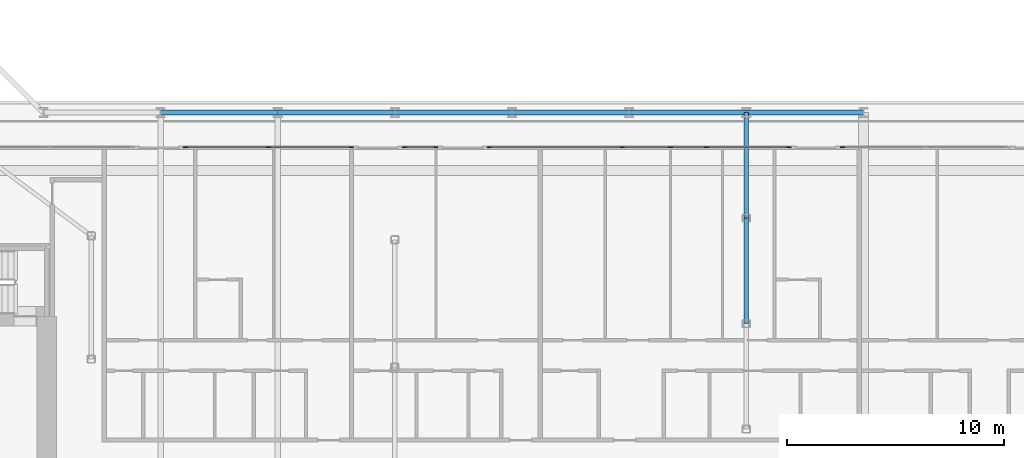
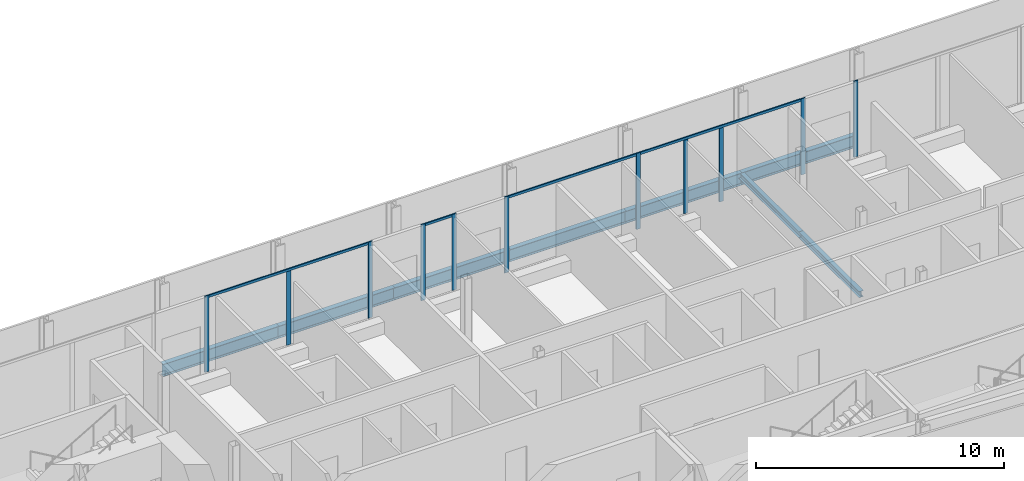
# One storey, part 6 of 25: 15 members, 8 beams, 5 elements without a shape of their own.
"""IFC4 building model written with IfcOpenShell, lengths in metres."""

from ifc_helpers import new_model, si_unit, direction, frame, origin, origin_2d, place, context, subcontext, project, spatial, rectangle, i_section, extrude, material, layer, layer_set, material_profile, profile_set, type_object, element, aggregate, save


model = new_model("IFC4")

# Units and contexts
model_context = context("Model", 3, precision=1e-05, world=origin(), true_north=direction((0.0, 1.0)))
body_context = subcontext(model_context, "Body", "Model", "MODEL_VIEW")
ifc_project = project(units=[si_unit("LENGTHUNIT", "METRE"), si_unit("AREAUNIT", "SQUARE_METRE"), si_unit("VOLUMEUNIT", "CUBIC_METRE"), si_unit("PLANEANGLEUNIT", "RADIAN"), si_unit("MASSUNIT", "GRAM", prefix="KILO")], contexts=[model_context])

# Site, building, storey
site_placement = place(None, origin())
site = spatial("IfcSite", under=ifc_project, at=site_placement, CompositionType="ELEMENT")
building_placement = place(site_placement, origin())
building = spatial("IfcBuilding", under=site, at=building_placement, Name="Kheshtan School and Residences Tower", CompositionType="ELEMENT")
storey_placement = place(building_placement, frame((0.0, 0.0, 109.699951171875)))
storey = spatial("IfcBuildingStorey", under=building, at=storey_placement, Name="L25", CompositionType="ELEMENT", Elevation=109.699951171875)

# Beams
ifc_material_1 = material(Name="Steel ASTM A992 Grade 50", Category="steel")
ifc_material_profile_1 = material_profile(ifc_material_1, i_section(OverallWidth=0.202880859375, OverallDepth=0.302978515625, WebThickness=0.007568359375, FlangeThickness=0.01318359375, FilletRadius=0.009033203125, at=origin_2d()), Name="W310x60")
ifc_profile_set_1 = profile_set([ifc_material_profile_1], Name="Steel ASTM A992 Grade 50")
beam_type_1 = type_object("IfcBeamType", Name="Beam FB1 W310x60 ASTM A992 Grade 50", PredefinedType="BEAM", material=ifc_profile_set_1)
for number, where, z_axis, x_axis, name in (
    (1, (85.39990234375, 45.60009765625, -0.301513671875), (0.0, -1.0, 0.0), (1.0, 0.0, 0.0), "Floor beam C067"),
    (2, (85.39990234375, 40.735107421875, -0.301513671875), (0.0, -1.0, 0.0), (1.0, 0.0, 0.0), "Floor beam IC"),
):
    element("IfcBeam", number, at=place(storey_placement, frame(where, z_axis=z_axis, x_axis=x_axis)), inside=storey, type_object=beam_type_1, Name=name, PredefinedType="BEAM", context=body_context, shape_type="SweptSolid", body=[
        extrude(i_section(OverallWidth=0.202880859375, OverallDepth=0.302978515625, WebThickness=0.007568359375, FlangeThickness=0.01318359375, FilletRadius=0.009033203125, at=origin_2d()), origin(), (0.0, 0.0, 1.0), 4.864990234375),
    ])
ifc_material_profile_2 = material_profile(ifc_material_1, i_section(OverallWidth=0.22802734375, OverallDepth=0.60302734375, WebThickness=0.010498046875, FlangeThickness=0.014892578125, FilletRadius=0.013427734375, at=origin_2d()), Name="W610x101")
ifc_profile_set_2 = profile_set([ifc_material_profile_2], Name="Steel ASTM A992 Grade 50")
beam_type_2 = type_object("IfcBeamType", Name="Beam SP2 W610x101 ASTM A992 Grade 50", PredefinedType="BEAM", material=ifc_profile_set_2)
beam_1_placement = place(storey_placement, frame((58.39990234375, 45.60009765625, -0.451416015625), z_axis=(1.0, 0.0, 0.0), x_axis=(0.0, 1.0, 0.0)))
element("IfcBeam", 3, at=beam_1_placement, inside=storey, type_object=beam_type_2, Name="Spandrel beam C062-C063", PredefinedType="BEAM", context=body_context, shape_type="SweptSolid", body=[
    extrude(i_section(OverallWidth=0.22802734375, OverallDepth=0.60302734375, WebThickness=0.010498046875, FlangeThickness=0.014892578125, FilletRadius=0.013427734375, at=origin_2d()), origin(), (0.0, 0.0, 1.0), 5.400146484375),
])
beam_2_placement = place(storey_placement, frame((63.800048828125, 45.60009765625, -0.451416015625), z_axis=(1.0, 0.0, 0.0), x_axis=(0.0, 1.0, 0.0)))
element("IfcBeam", 4, at=beam_2_placement, inside=storey, type_object=beam_type_2, Name="Spandrel beam C063-C064", PredefinedType="BEAM", context=body_context, shape_type="SweptSolid", body=[
    extrude(i_section(OverallWidth=0.22802734375, OverallDepth=0.60302734375, WebThickness=0.010498046875, FlangeThickness=0.014892578125, FilletRadius=0.013427734375, at=origin_2d()), origin(), (0.0, 0.0, 1.0), 5.39990234375),
])
beam_3_placement = place(storey_placement, frame((69.199951171875, 45.60009765625, -0.451416015625), z_axis=(1.0, 0.0, 0.0), x_axis=(0.0, 1.0, 0.0)))
element("IfcBeam", 5, at=beam_3_placement, inside=storey, type_object=beam_type_2, Name="Spandrel beam C064-C065", PredefinedType="BEAM", context=body_context, shape_type="SweptSolid", body=[
    extrude(i_section(OverallWidth=0.22802734375, OverallDepth=0.60302734375, WebThickness=0.010498046875, FlangeThickness=0.014892578125, FilletRadius=0.013427734375, at=origin_2d()), origin(), (0.0, 0.0, 1.0), 5.400146484375),
])
for number, where, z_axis, x_axis, name in (
    (6, (74.60009765625, 45.60009765625, -0.451416015625), (1.0, 0.0, 0.0), (0.0, 1.0, 0.0), "Spandrel beam C065-C066"),
    (7, (80.0, 45.60009765625, -0.451416015625), (1.0, 0.0, 0.0), (0.0, 1.0, 0.0), "Spandrel beam C066-C067"),
):
    element("IfcBeam", number, at=place(storey_placement, frame(where, z_axis=z_axis, x_axis=x_axis)), inside=storey, type_object=beam_type_2, Name=name, PredefinedType="BEAM", context=body_context, shape_type="SweptSolid", body=[
        extrude(i_section(OverallWidth=0.22802734375, OverallDepth=0.60302734375, WebThickness=0.010498046875, FlangeThickness=0.014892578125, FilletRadius=0.013427734375, at=origin_2d()), origin(), (0.0, 0.0, 1.0), 5.39990234375),
    ])
beam_4_placement = place(storey_placement, frame((85.39990234375, 45.60009765625, -0.451416015625), z_axis=(1.0, 0.0, 0.0), x_axis=(0.0, 1.0, 0.0)))
element("IfcBeam", 8, at=beam_4_placement, inside=storey, type_object=beam_type_2, Name="Spandrel beam C067-C068", PredefinedType="BEAM", context=body_context, shape_type="SweptSolid", body=[
    extrude(i_section(OverallWidth=0.22802734375, OverallDepth=0.60302734375, WebThickness=0.010498046875, FlangeThickness=0.014892578125, FilletRadius=0.013427734375, at=origin_2d()), origin(), (0.0, 0.0, 1.0), 5.400146484375),
])

# Curtain wall, members
ifc_material_2 = material(Name="Clear low-e glass in thermally broken aluminium frame", Category="aluminium")
ifc_layer = layer(ifc_material_2, 0.199951171875)
ifc_layer_set = layer_set([ifc_layer], Name="Curtain wall CW-L")
curtain_wall_type = type_object("IfcCurtainWallType", Name="Curtain wall CW-L", PredefinedType="NOTDEFINED", material=ifc_layer_set)
curtain_wall_1_placement = place(storey_placement, origin())
curtain_wall_1 = element("IfcCurtainWall", 9, at=curtain_wall_1_placement, inside=storey, type_object=curtain_wall_type, Name="Curtain wall CWL8", PredefinedType="NOTDEFINED")
ifc_material_3 = material(Name="Thermally broken aluminium, dark bronze anodised", Category="aluminium")
ifc_material_profile_3 = material_profile(ifc_material_3, rectangle(XDim=0.06005859375, YDim=0.199951171875, at=origin_2d()), Name="CW-L mullion 60x200")
ifc_profile_set_3 = profile_set([ifc_material_profile_3], Name="Thermally broken aluminium, dark bronze anodised")
member_type_1 = type_object("IfcMemberType", Name="CW-L mullion 60x200", PredefinedType="MULLION", material=ifc_profile_set_3)
member_1_placement = place(storey_placement, frame((59.553955078125, 44.0, 0.0), z_axis=(0.0, 0.0, 1.0), x_axis=(0.0, 1.0, 0.0)))
member_1 = element("IfcMember", 10, at=member_1_placement, type_object=member_type_1, Name="CWL8 mullion 1", PredefinedType="MULLION", context=body_context, shape_type="SweptSolid", body=[
    extrude(rectangle(XDim=0.06005859375, YDim=0.199951171875, at=origin_2d()), origin(), (0.0, 0.0, 1.0), 3.75),
])
member_2_placement = place(storey_placement, frame((63.37109375, 44.0, 0.0), z_axis=(0.0, 0.0, 1.0), x_axis=(0.0, 1.0, 0.0)))
member_2 = element("IfcMember", 11, at=member_2_placement, type_object=member_type_1, Name="CWL8 mullion 2", PredefinedType="MULLION", context=body_context, shape_type="SweptSolid", body=[
    extrude(rectangle(XDim=0.06005859375, YDim=0.199951171875, at=origin_2d()), origin(), (0.0, 0.0, 1.0), 3.630126953125),
])
member_3_placement = place(storey_placement, frame((67.18798828125, 44.0, 0.0), z_axis=(0.0, 0.0, 1.0), x_axis=(0.0, 1.0, 0.0)))
member_3 = element("IfcMember", 12, at=member_3_placement, type_object=member_type_1, Name="CWL8 mullion 3", PredefinedType="MULLION", context=body_context, shape_type="SweptSolid", body=[
    extrude(rectangle(XDim=0.06005859375, YDim=0.199951171875, at=origin_2d()), origin(), (0.0, 0.0, 1.0), 3.75),
])

curtain_wall_2_placement = place(storey_placement, origin())
curtain_wall_2 = element("IfcCurtainWall", 13, at=curtain_wall_2_placement, inside=storey, type_object=curtain_wall_type, Name="Curtain wall CWL8a", PredefinedType="NOTDEFINED")
member_4_placement = place(storey_placement, frame((69.64794921875, 44.0, 0.0), z_axis=(0.0, 0.0, 1.0), x_axis=(0.0, 1.0, 0.0)))
member_4 = element("IfcMember", 14, at=member_4_placement, type_object=member_type_1, Name="CWL8a mullion 1", PredefinedType="MULLION", context=body_context, shape_type="SweptSolid", body=[
    extrude(rectangle(XDim=0.06005859375, YDim=0.199951171875, at=origin_2d()), origin(), (0.0, 0.0, 1.0), 3.75),
])
member_5_placement = place(storey_placement, frame((71.087890625, 44.0, 0.0), z_axis=(0.0, 0.0, 1.0), x_axis=(0.0, 1.0, 0.0)))
member_5 = element("IfcMember", 15, at=member_5_placement, type_object=member_type_1, Name="CWL8a mullion 2", PredefinedType="MULLION", context=body_context, shape_type="SweptSolid", body=[
    extrude(rectangle(XDim=0.06005859375, YDim=0.199951171875, at=origin_2d()), origin(), (0.0, 0.0, 1.0), 3.75),
])

curtain_wall_3_placement = place(storey_placement, origin())
curtain_wall_3 = element("IfcCurtainWall", 16, at=curtain_wall_3_placement, inside=storey, type_object=curtain_wall_type, Name="Curtain wall CWL8d", PredefinedType="NOTDEFINED")
member_6_placement = place(storey_placement, frame((73.548095703125, 44.0, 0.0), z_axis=(0.0, 0.0, 1.0), x_axis=(0.0, 1.0, 0.0)))
member_6 = element("IfcMember", 17, at=member_6_placement, type_object=member_type_1, Name="CWL8d mullion 1", PredefinedType="MULLION", context=body_context, shape_type="SweptSolid", body=[
    extrude(rectangle(XDim=0.06005859375, YDim=0.199951171875, at=origin_2d()), origin(), (0.0, 0.0, 1.0), 3.75),
])
member_7_placement = place(storey_placement, frame((79.681884765625, 44.0, 0.0), z_axis=(0.0, 0.0, 1.0), x_axis=(0.0, 1.0, 0.0)))
member_7 = element("IfcMember", 18, at=member_7_placement, type_object=member_type_1, Name="CWL8d mullion 2", PredefinedType="MULLION", context=body_context, shape_type="SweptSolid", body=[
    extrude(rectangle(XDim=0.06005859375, YDim=0.199951171875, at=origin_2d()), origin(), (0.0, 0.0, 1.0), 3.75),
])

curtain_wall_4_placement = place(storey_placement, origin())
curtain_wall_4 = element("IfcCurtainWall", 19, at=curtain_wall_4_placement, inside=storey, type_object=curtain_wall_type, Name="Curtain wall CWL8c", PredefinedType="NOTDEFINED")
member_8_placement = place(storey_placement, frame((81.89990234375, 44.0, 0.0), z_axis=(0.0, 0.0, 1.0), x_axis=(0.0, 1.0, 0.0)))
member_8 = element("IfcMember", 20, at=member_8_placement, type_object=member_type_1, Name="CWL8c mullion 2", PredefinedType="MULLION", context=body_context, shape_type="SweptSolid", body=[
    extrude(rectangle(XDim=0.06005859375, YDim=0.199951171875, at=origin_2d()), origin(), (0.0, 0.0, 1.0), 3.630126953125),
])
member_9_placement = place(storey_placement, frame((83.55908203125, 44.0, 0.0), z_axis=(0.0, 0.0, 1.0), x_axis=(0.0, 1.0, 0.0)))
member_9 = element("IfcMember", 21, at=member_9_placement, type_object=member_type_1, Name="CWL8c mullion 3", PredefinedType="MULLION", context=body_context, shape_type="SweptSolid", body=[
    extrude(rectangle(XDim=0.06005859375, YDim=0.199951171875, at=origin_2d()), origin(), (0.0, 0.0, 1.0), 3.630126953125),
])
member_10_placement = place(storey_placement, frame((87.3759765625, 44.0, 0.0), z_axis=(0.0, 0.0, 1.0), x_axis=(0.0, 1.0, 0.0)))
member_10 = element("IfcMember", 22, at=member_10_placement, type_object=member_type_1, Name="CWL8c mullion 4", PredefinedType="MULLION", context=body_context, shape_type="SweptSolid", body=[
    extrude(rectangle(XDim=0.06005859375, YDim=0.199951171875, at=origin_2d()), origin(), (0.0, 0.0, 1.0), 3.75),
])

# Curtain wall, member
curtain_wall_5_placement = place(storey_placement, origin())
curtain_wall_5 = element("IfcCurtainWall", 23, at=curtain_wall_5_placement, inside=storey, type_object=curtain_wall_type, Name="Curtain wall CWL8", PredefinedType="NOTDEFINED")
member_11_placement = place(storey_placement, frame((89.8359375, 44.0, 0.0), z_axis=(0.0, 0.0, 1.0), x_axis=(0.0, 1.0, 0.0)))
member_11 = element("IfcMember", 24, at=member_11_placement, type_object=member_type_1, Name="CWL8 mullion 1", PredefinedType="MULLION", context=body_context, shape_type="SweptSolid", body=[
    extrude(rectangle(XDim=0.06005859375, YDim=0.199951171875, at=origin_2d()), origin(), (0.0, 0.0, 1.0), 3.75),
])
aggregate(curtain_wall_5, [member_11])

# Member
ifc_material_profile_4 = material_profile(ifc_material_3, rectangle(XDim=0.06005859375, YDim=0.1201171875, at=origin_2d()), Name="CW-L transom 60x120")
ifc_profile_set_4 = profile_set([ifc_material_profile_4], Name="Thermally broken aluminium, dark bronze anodised")
member_type_2 = type_object("IfcMemberType", Name="CW-L transom 60x120", PredefinedType="USERDEFINED", material=ifc_profile_set_4)
member_12_placement = place(storey_placement, frame((59.583984375, 44.0, 3.68994140625), z_axis=(1.0, 0.0, 0.0), x_axis=(0.0, 1.0, 0.0)))
member_12 = element("IfcMember", 25, at=member_12_placement, type_object=member_type_2, Name="CWL8 transom 1", ObjectType="TRANSOM", PredefinedType="USERDEFINED", context=body_context, shape_type="SweptSolid", body=[
    extrude(rectangle(XDim=0.06005859375, YDim=0.1201171875, at=origin_2d()), origin(), (0.0, 0.0, 1.0), 7.573974609375),
])

aggregate(curtain_wall_1, [member_1, member_2, member_3, member_12])

member_13_placement = place(storey_placement, frame((69.677978515625, 44.0, 3.68994140625), z_axis=(1.0, 0.0, 0.0), x_axis=(0.0, 1.0, 0.0)))
member_13 = element("IfcMember", 26, at=member_13_placement, type_object=member_type_2, Name="CWL8a transom 1", ObjectType="TRANSOM", PredefinedType="USERDEFINED", context=body_context, shape_type="SweptSolid", body=[
    extrude(rectangle(XDim=0.06005859375, YDim=0.1201171875, at=origin_2d()), origin(), (0.0, 0.0, 1.0), 1.380126953125),
])

aggregate(curtain_wall_2, [member_4, member_5, member_13])

member_14_placement = place(storey_placement, frame((73.577880859375, 44.0, 3.68994140625), z_axis=(1.0, 0.0, 0.0), x_axis=(0.0, 1.0, 0.0)))
member_14 = element("IfcMember", 27, at=member_14_placement, type_object=member_type_2, Name="CWL8d transom 1", ObjectType="TRANSOM", PredefinedType="USERDEFINED", context=body_context, shape_type="SweptSolid", body=[
    extrude(rectangle(XDim=0.06005859375, YDim=0.1201171875, at=origin_2d()), origin(), (0.0, 0.0, 1.0), 6.07421875),
])

aggregate(curtain_wall_3, [member_6, member_7, member_14])

member_15_placement = place(storey_placement, frame((79.7119140625, 44.0, 3.68994140625), z_axis=(1.0, 0.0, 0.0), x_axis=(0.0, 1.0, 0.0)))
member_15 = element("IfcMember", 28, at=member_15_placement, type_object=member_type_2, Name="CWL8c transom 1", ObjectType="TRANSOM", PredefinedType="USERDEFINED", context=body_context, shape_type="SweptSolid", body=[
    extrude(rectangle(XDim=0.06005859375, YDim=0.1201171875, at=origin_2d()), origin(), (0.0, 0.0, 1.0), 7.634033203125),
])

aggregate(curtain_wall_4, [member_8, member_9, member_10, member_15])

save(model, "model.ifc")
